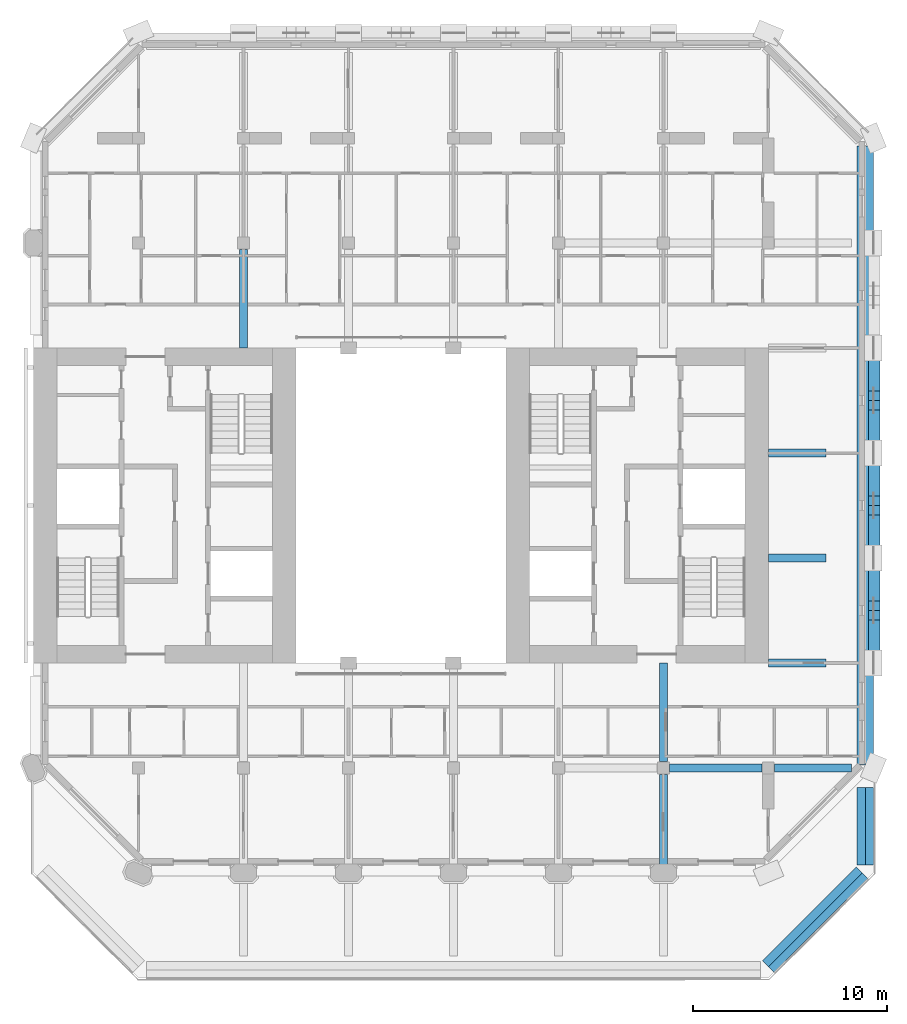
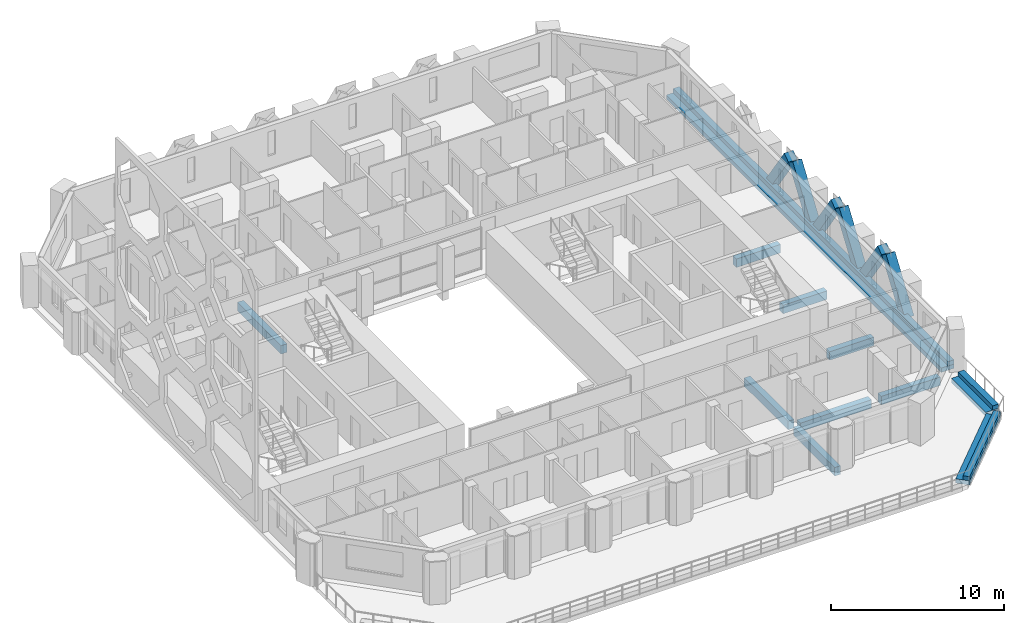
# One storey, part 5 of 17: 14 beams, 6 members.
"""IFC4 building model written with IfcOpenShell, lengths in metres."""

from ifc_helpers import new_model, si_unit, direction, frame, origin, origin_2d, place, context, subcontext, project, spatial, rectangle, extrude, material, material_profile, profile_set, type_object, element, save


model = new_model("IFC4")

# Units and contexts
model_context = context("Model", 3, precision=1e-05, world=origin(), true_north=direction((0.0, 1.0)))
body_context = subcontext(model_context, "Body", "Model", "MODEL_VIEW")
ifc_project = project(units=[si_unit("LENGTHUNIT", "METRE"), si_unit("AREAUNIT", "SQUARE_METRE"), si_unit("VOLUMEUNIT", "CUBIC_METRE"), si_unit("PLANEANGLEUNIT", "RADIAN"), si_unit("MASSUNIT", "GRAM", prefix="KILO")], contexts=[model_context])

# Site, building, storey
site_placement = place(None, origin())
site = spatial("IfcSite", under=ifc_project, at=site_placement, CompositionType="ELEMENT")
building_placement = place(site_placement, origin())
building = spatial("IfcBuilding", under=site, at=building_placement, Name="Tabaq Tower and Sports Hall", CompositionType="ELEMENT")
storey_placement = place(building_placement, frame((0.0, 0.0, 288.39990234375)))
storey = spatial("IfcBuildingStorey", under=building, at=storey_placement, Name="L71", CompositionType="ELEMENT", Elevation=288.39990234375)

# Beams
ifc_material_1 = material(Name="Concrete C40/50", Category="concrete")
ifc_material_profile_1 = material_profile(ifc_material_1, rectangle(XDim=0.39990234375, YDim=0.60009765625, at=origin_2d()), Name="CB 400x600")
ifc_profile_set_1 = profile_set([ifc_material_profile_1], Name="Concrete C40/50")
beam_type_1 = type_object("IfcBeamType", Name="PT CANTILEVER BEAM CB 400x600 C40/50", PredefinedType="BEAM", material=ifc_profile_set_1)
beam_1_placement = place(storey_placement, frame((47.47509765625, 10.800048828125, -0.599853515625), z_axis=(-1.0, 0.0, 0.0), x_axis=(0.0, -1.0, 0.0)))
element("IfcBeam", 1, at=beam_1_placement, inside=storey, type_object=beam_type_1, Name="Cantilever Beam L71 E2 span 1", PredefinedType="BEAM", context=body_context, shape_type="SweptSolid", body=[
    extrude(rectangle(XDim=0.39990234375, YDim=0.60009765625, at=origin_2d()), origin(), (0.0, 0.0, 1.0), 3.9501953125),
])
beam_2_placement = place(storey_placement, frame((42.875, 10.800048828125, -0.599853515625), z_axis=(-1.0, 0.0, 0.0), x_axis=(0.0, -1.0, 0.0)))
element("IfcBeam", 2, at=beam_2_placement, inside=storey, type_object=beam_type_1, Name="Cantilever Beam L71 E2 span 2", PredefinedType="BEAM", context=body_context, shape_type="SweptSolid", body=[
    extrude(rectangle(XDim=0.39990234375, YDim=0.60009765625, at=origin_2d()), origin(), (0.0, 0.0, 1.0), 4.75),
])
for number, where, z_axis, x_axis, name in (
    (3, (46.14990234375, 16.199951171875, -0.599853515625), (-1.0, 0.0, 0.0), (0.0, -1.0, 0.0), "Cantilever Beam L71 E3 span 1"),
    (4, (46.14990234375, 21.60009765625, -0.599853515625), (-1.0, 0.0, 0.0), (0.0, -1.0, 0.0), "Cantilever Beam L71 E4 span 1"),
    (5, (46.14990234375, 27.0, -0.599853515625), (-1.0, 0.0, 0.0), (0.0, -1.0, 0.0), "Cantilever Beam L71 E5 span 1"),
):
    element("IfcBeam", number, at=place(storey_placement, frame(where, z_axis=z_axis, x_axis=x_axis)), inside=storey, type_object=beam_type_1, Name=name, PredefinedType="BEAM", context=body_context, shape_type="SweptSolid", body=[
        extrude(rectangle(XDim=0.39990234375, YDim=0.60009765625, at=origin_2d()), origin(), (0.0, 0.0, 1.0), 2.949951171875),
    ])
beam_3_placement = place(storey_placement, frame((37.800048828125, 5.72509765625, -0.599853515625), z_axis=(0.0, 1.0, 0.0), x_axis=(-1.0, 0.0, 0.0)))
element("IfcBeam", 6, at=beam_3_placement, inside=storey, type_object=beam_type_1, Name="Cantilever Beam L71 S7 span 2", PredefinedType="BEAM", context=body_context, shape_type="SweptSolid", body=[
    extrude(rectangle(XDim=0.39990234375, YDim=0.60009765625, at=origin_2d()), origin(), (0.0, 0.0, 1.0), 4.75),
])
beam_4_placement = place(storey_placement, frame((37.800048828125, 11.125, -0.599853515625), z_axis=(0.0, 1.0, 0.0), x_axis=(-1.0, 0.0, 0.0)))
element("IfcBeam", 7, at=beam_4_placement, inside=storey, type_object=beam_type_1, Name="Cantilever Beam L71 S7 span 3", PredefinedType="BEAM", context=body_context, shape_type="SweptSolid", body=[
    extrude(rectangle(XDim=0.39990234375, YDim=0.60009765625, at=origin_2d()), origin(), (0.0, 0.0, 1.0), 5.074951171875),
])
beam_5_placement = place(storey_placement, frame((16.199951171875, 37.47509765625, -0.599853515625), z_axis=(0.0, -1.0, 0.0), x_axis=(1.0, 0.0, 0.0)))
element("IfcBeam", 8, at=beam_5_placement, inside=storey, type_object=beam_type_1, Name="Cantilever Beam L71 N3 span 3", PredefinedType="BEAM", context=body_context, shape_type="SweptSolid", body=[
    extrude(rectangle(XDim=0.39990234375, YDim=0.60009765625, at=origin_2d()), origin(), (0.0, 0.0, 1.0), 5.0751953125),
])
ifc_material_2 = material(Name="Concrete C40/50", Category="concrete")
ifc_material_profile_2 = material_profile(ifc_material_2, rectangle(XDim=0.85009765625, YDim=0.300048828125, at=origin_2d()), Name="EB 850x300")
ifc_profile_set_2 = profile_set([ifc_material_profile_2], Name="Concrete C40/50")
beam_type_2 = type_object("IfcBeamType", Name="PT EDGE BEAM EB 850x300 C40/50", PredefinedType="SPANDREL", material=ifc_profile_set_2)
beam_6_placement = place(storey_placement, frame((48.175048828125, 10.9619140625, -0.14990234375), z_axis=(0.0, 1.0, 0.0), x_axis=(-1.0, 0.0, 0.0)))
element("IfcBeam", 9, at=beam_6_placement, inside=storey, type_object=beam_type_2, Name="Edge Beam L71 1", PredefinedType="SPANDREL", context=body_context, shape_type="SweptSolid", body=[
    extrude(rectangle(XDim=0.85009765625, YDim=0.300048828125, at=origin_2d()), origin(), (0.0, 0.0, 1.0), 31.8359375),
])
beam_7_placement = place(storey_placement, frame((43.183837890625, 0.584716796875, -0.14990234375), z_axis=(0.707088915255, 0.707124646667, 0.0), x_axis=(-0.707124646667, 0.707088915255, 0.0)))
element("IfcBeam", 10, at=beam_7_placement, inside=storey, type_object=beam_type_2, Name="Edge Beam L71 5", PredefinedType="SPANDREL", context=body_context, shape_type="SweptSolid", body=[
    extrude(rectangle(XDim=0.85009765625, YDim=0.300048828125, at=origin_2d()), origin(), (0.0, 0.0, 1.0), 6.832763671875),
])
beam_8_placement = place(storey_placement, frame((48.175048828125, 5.802001953125, -0.14990234375), z_axis=(0.0, 1.0, 0.0), x_axis=(-1.0, 0.0, 0.0)))
element("IfcBeam", 11, at=beam_8_placement, inside=storey, type_object=beam_type_2, Name="Edge Beam L71 6", PredefinedType="SPANDREL", context=body_context, shape_type="SweptSolid", body=[
    extrude(rectangle(XDim=0.85009765625, YDim=0.300048828125, at=origin_2d()), origin(), (0.0, 0.0, 1.0), 3.986083984375),
])
ifc_material_3 = material(Name="Concrete C40/50", Category="concrete")
ifc_material_profile_3 = material_profile(ifc_material_3, rectangle(XDim=0.39990234375, YDim=0.300048828125, at=origin_2d()), Name="EU 400x300")
ifc_profile_set_3 = profile_set([ifc_material_profile_3], Name="Concrete C40/50")
beam_type_3 = type_object("IfcBeamType", Name="PT EDGE UPSTAND EU 400x300 C40/50", PredefinedType="BEAM", material=ifc_profile_set_3)
beam_9_placement = place(storey_placement, frame((48.39990234375, 10.9619140625, 0.150146484375), z_axis=(0.0, 1.0, 0.0), x_axis=(-1.0, 0.0, 0.0)))
element("IfcBeam", 12, at=beam_9_placement, inside=storey, type_object=beam_type_3, Name="Edge Upstand L71 1", PredefinedType="BEAM", context=body_context, shape_type="SweptSolid", body=[
    extrude(rectangle(XDim=0.39990234375, YDim=0.300048828125, at=origin_2d()), origin(), (0.0, 0.0, 1.0), 31.8359375),
])
beam_10_placement = place(storey_placement, frame((43.3427734375, 0.42578125, 0.150146484375), z_axis=(0.707124646667, 0.707088915255, 0.0), x_axis=(-0.707088915255, 0.707124646667, 0.0)))
element("IfcBeam", 13, at=beam_10_placement, inside=storey, type_object=beam_type_3, Name="Edge Upstand L71 5", PredefinedType="BEAM", context=body_context, shape_type="SweptSolid", body=[
    extrude(rectangle(XDim=0.39990234375, YDim=0.300048828125, at=origin_2d()), origin(), (0.0, 0.0, 1.0), 6.832763671875),
])
beam_11_placement = place(storey_placement, frame((48.39990234375, 5.802001953125, 0.150146484375), z_axis=(0.0, 1.0, 0.0), x_axis=(-1.0, 0.0, 0.0)))
element("IfcBeam", 14, at=beam_11_placement, inside=storey, type_object=beam_type_3, Name="Edge Upstand L71 6", PredefinedType="BEAM", context=body_context, shape_type="SweptSolid", body=[
    extrude(rectangle(XDim=0.39990234375, YDim=0.300048828125, at=origin_2d()), origin(), (0.0, 0.0, 1.0), 3.986083984375),
])

# Members
ifc_material_4 = material(Name="Concrete C40/50", Category="concrete")
ifc_material_profile_4 = material_profile(ifc_material_4, rectangle(XDim=0.60009765625, YDim=0.60009765625, at=origin_2d()), Name="TRANSFER BAND BRACE 600x600")
ifc_profile_set_4 = profile_set([ifc_material_profile_4], Name="Concrete C40/50")
member_type = type_object("IfcMemberType", Name="RC TRANSFER BAND BRACE 600x600 C40/50", PredefinedType="BRACE", material=ifc_profile_set_4)
for number, where, z_axis, x_axis, name in (
    (15, (48.64990234375, 16.449951171875, -0.0498046875), (0.0, 0.56652615464, 0.824043758613), (-1.0, 0.0, 0.0), "Transfer Band Brace L71 East 1"),
    (16, (48.64990234375, 21.35009765625, -0.0498046875), (0.0, -0.566568844459, 0.824014407937), (1.0, 0.0, 0.0), "Transfer Band Brace L71 East 2"),
    (17, (48.64990234375, 21.85009765625, -0.0498046875), (0.0, 0.56652615464, 0.824043758613), (-1.0, 0.0, 0.0), "Transfer Band Brace L71 East 3"),
    (18, (48.64990234375, 26.75, -0.0498046875), (0.0, -0.56652615464, 0.824043758613), (1.0, 0.0, 0.0), "Transfer Band Brace L71 East 4"),
    (19, (48.64990234375, 27.25, -0.0498046875), (0.0, 0.56652615464, 0.824043758613), (-1.0, 0.0, 0.0), "Transfer Band Brace L71 East 5"),
    (20, (48.64990234375, 32.14990234375, -0.0498046875), (0.0, -0.56652615464, 0.824043758613), (1.0, 0.0, 0.0), "Transfer Band Brace L71 East 6"),
):
    element("IfcMember", number, at=place(storey_placement, frame(where, z_axis=z_axis, x_axis=x_axis)), inside=storey, type_object=member_type, Name=name, PredefinedType="BRACE", context=body_context, shape_type="SweptSolid", body=[
        extrude(rectangle(XDim=0.60009765625, YDim=0.60009765625, at=origin_2d()), origin(), (0.0, 0.0, 1.0), 3.88330078125),
    ])

save(model, "model.ifc")
